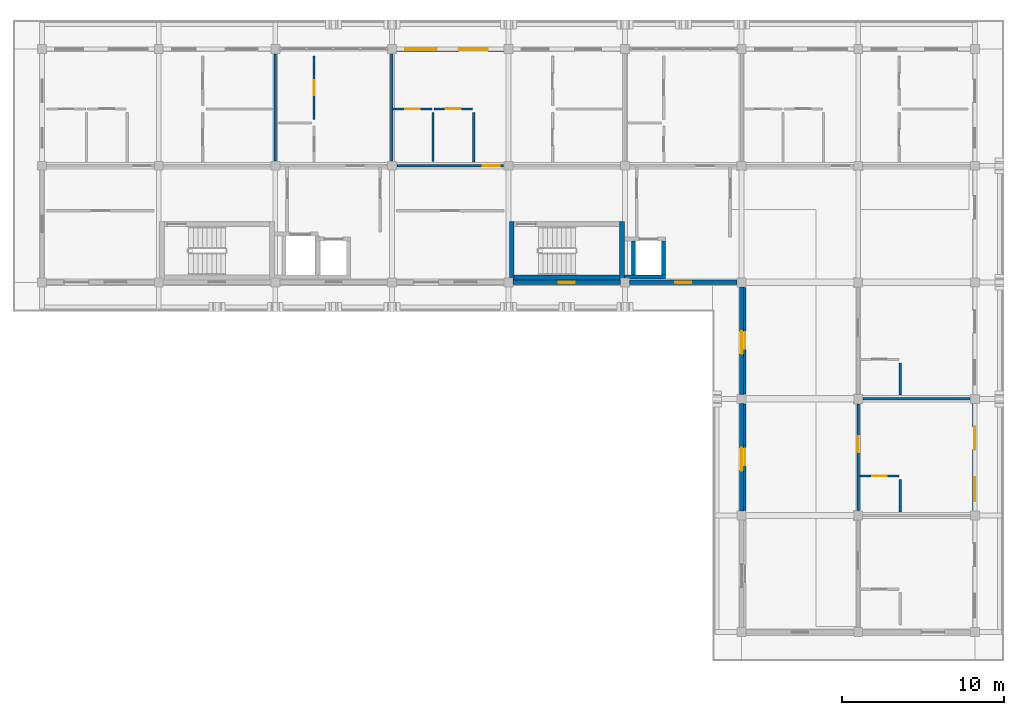
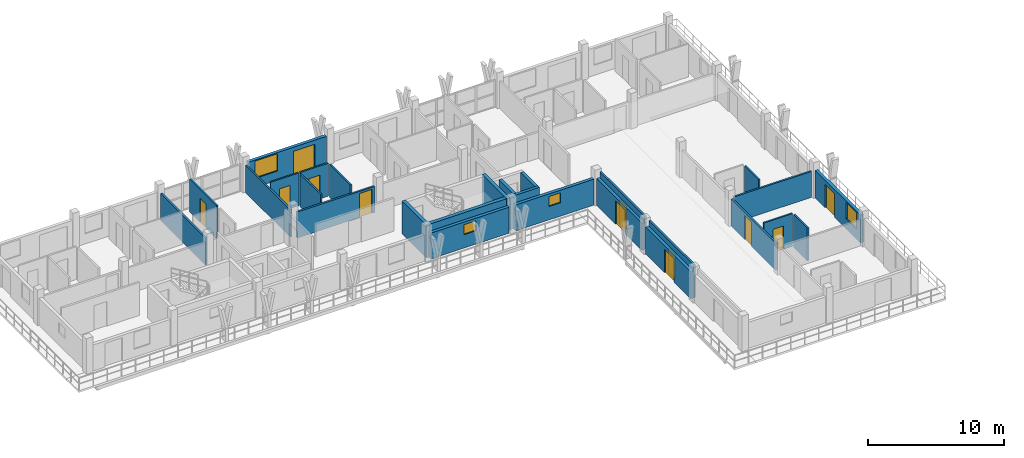
# One storey, part 50 of 65: 27 walls, 12 doors, 4 windows, 16 openings.
"""IFC4 building model written with IfcOpenShell, lengths in metres."""

from ifc_helpers import new_model, si_unit, direction, frame, frame_2d, origin, place, context, subcontext, project, spatial, rectangle, extrude, material, layer, layer_set, type_object, element, fill, save


model = new_model("IFC4")

# Units and contexts
model_context = context("Model", 3, precision=1e-05, world=origin(), true_north=direction((0.0, 1.0)))
body_context = subcontext(model_context, "Body", "Model", "MODEL_VIEW")
ifc_project = project(units=[si_unit("LENGTHUNIT", "METRE"), si_unit("AREAUNIT", "SQUARE_METRE"), si_unit("VOLUMEUNIT", "CUBIC_METRE"), si_unit("PLANEANGLEUNIT", "RADIAN"), si_unit("MASSUNIT", "GRAM", prefix="KILO")], contexts=[model_context])

# Site, building, storey
site_placement = place(None, origin())
site = spatial("IfcSite", under=ifc_project, at=site_placement, CompositionType="ELEMENT")
building_placement = place(site_placement, origin())
building = spatial("IfcBuilding", under=site, at=building_placement, Name="Suanplinth Sawtooth Commons", CompositionType="ELEMENT")
storey_placement = place(building_placement, frame((0.0, 0.0, 28.300048828125)))
storey = spatial("IfcBuildingStorey", under=building, at=storey_placement, Name="L08", CompositionType="ELEMENT", Elevation=28.300048828125)

# Walls
ifc_material_1 = material(Name="Concrete C40/50", Category="concrete")
ifc_layer_1 = layer(ifc_material_1, 0.300048828125, Name="Standard RC stair and lift core wall 300mm")
ifc_layer_set_1 = layer_set([ifc_layer_1], Name="Concrete C40/50")
wall_type_1 = type_object("IfcWallType", Name="W-CR02", PredefinedType="SHEAR", material=ifc_layer_set_1)
wall_1_placement = place(storey_placement, frame((158.75, 108.300048828125, 0.0), z_axis=(0.0, 0.0, 1.0), x_axis=(1.0, 0.0, 0.0)))
element("IfcWall", 1, at=wall_1_placement, inside=storey, type_object=wall_type_1, Name="W-L08-C-B2-STS", PredefinedType="SHEAR", context=body_context, shape_type="SweptSolid", body=[
    extrude(rectangle(XDim=6.5, YDim=0.300048828125, at=frame_2d((3.25, 0.0))), origin(), (0.0, 0.0, 1.0), 2.949951171875),
])
for number, where, z_axis, x_axis, name in (
    (2, (158.60009765625, 108.14990234375, 0.0), (0.0, 0.0, 1.0), (0.0, 1.0, 0.0), "W-L08-C-B2-STW"),
    (3, (165.39990234375, 108.14990234375, 0.0), (0.0, 0.0, 1.0), (0.0, 1.0, 0.0), "W-L08-C-B2-STE"),
):
    element("IfcWall", number, at=place(storey_placement, frame(where, z_axis=z_axis, x_axis=x_axis)), inside=storey, type_object=wall_type_1, Name=name, PredefinedType="SHEAR", context=body_context, shape_type="SweptSolid", body=[
        extrude(rectangle(XDim=3.60009765625, YDim=0.300048828125, at=frame_2d((1.800048828125, 0.0))), origin(), (0.0, 0.0, 1.0), 2.949951171875),
    ])

# Wall, openings, door, window
ifc_material_2 = material(Name="Precast concrete C40/50", Category="concrete")
ifc_layer_2 = layer(ifc_material_2, 0.260009765625, Name="Insulated precast courtyard facade wall 260mm")
ifc_layer_set_2 = layer_set([ifc_layer_2], Name="Precast concrete C40/50")
wall_type_2 = type_object("IfcWallType", Name="W-EX02", PredefinedType="ELEMENTEDWALL", material=ifc_layer_set_2)
wall_2_placement = place(storey_placement, frame((151.47509765625, 122.39990234375, 0.0), z_axis=(0.0, 0.0, 1.0), x_axis=(1.0, 0.0, 0.0)))
wall_2 = element("IfcWall", 4, at=wall_2_placement, inside=storey, type_object=wall_type_2, Name="Facade Wall W-L08-B-N-21-16", PredefinedType="ELEMENTEDWALL", context=body_context, shape_type="SweptSolid", body=[
    extrude(rectangle(XDim=6.64990234375, YDim=0.260009765625, at=frame_2d((3.324951171875, 0.0))), origin(), (0.0, 0.0, 1.0), 2.48486328125),
])
opening_1_placement = place(wall_2_placement, frame((3.85009765625, 0.0, 0.0)))
opening_1 = element("IfcOpeningElement", 5, at=opening_1_placement, cuts=wall_2, Name="Opening ED0647", PredefinedType="OPENING", context=body_context, shape_type="SweptSolid", body=[
    extrude(rectangle(XDim=1.800048828125, YDim=2.1201171875, at=frame_2d((0.89990234375, 1.06005859375))), frame((0.0, 0.14501953125, 0.0), z_axis=(0.0, -1.0, 0.0), x_axis=(1.0, 0.0, 0.0)), (0.0, 0.0, 1.0), 0.289794921875),
])
opening_2_placement = place(wall_2_placement, frame((0.550048828125, 0.0, 0.824951171875)))
opening_2 = element("IfcOpeningElement", 6, at=opening_2_placement, cuts=wall_2, Name="Opening W0729", PredefinedType="OPENING", context=body_context, shape_type="SweptSolid", body=[
    extrude(rectangle(XDim=1.949951171875, YDim=1.550048828125, at=frame_2d((0.97509765625, 0.77490234375))), frame((0.0, 0.14501953125, 0.0), z_axis=(0.0, -1.0, 0.0), x_axis=(1.0, 0.0, 0.0)), (0.0, 0.0, 1.0), 0.289794921875),
])
ifc_material_3 = material(Name="Anodized aluminium and low-E glass", Category="aluminium")
door_type_1 = type_object("IfcDoorType", Name="SD-01", OperationType="SLIDING_TO_LEFT", PredefinedType="DOOR", material=ifc_material_3)
door_1_placement = place(opening_1_placement, frame((1.800048828125, 0.0, 0.0), z_axis=(0.0, 0.0, 1.0), x_axis=(-1.0, 0.0, 0.0)))
door_1 = element("IfcDoor", 7, at=door_1_placement, inside=storey, type_object=door_type_1, Name="Balcony Sliding Door L08-B-21", OperationType="SLIDING_TO_LEFT", OverallHeight=2.1201171875, OverallWidth=1.800048828125, PredefinedType="DOOR", context=body_context, shape_type="SweptSolid", body=[
    extrude(rectangle(XDim=1.800048828125, YDim=2.1201171875, at=frame_2d((0.89990234375, 1.06005859375))), frame((0.0, 0.02490234375, 0.0), z_axis=(0.0, -1.0, 0.0), x_axis=(1.0, 0.0, 0.0)), (0.0, 0.0, 1.0), 0.050048828125),
])
fill(opening_1, door_1)
ifc_material_4 = material(Name="Thermally broken aluminium and low-E double glazing", Category="aluminium")
window_type_1 = type_object("IfcWindowType", Name="WN-18", PartitioningType="DOUBLE_PANEL_VERTICAL", PredefinedType="WINDOW", material=ifc_material_4)
window_1_placement = place(opening_2_placement, origin())
window_1 = element("IfcWindow", 8, at=window_1_placement, inside=storey, type_object=window_type_1, Name="Apartment Window L08-B-21", OverallHeight=1.550048828125, OverallWidth=1.949951171875, PartitioningType="DOUBLE_PANEL_VERTICAL", PredefinedType="WINDOW", context=body_context, shape_type="SweptSolid", body=[
    extrude(rectangle(XDim=1.949951171875, YDim=1.550048828125, at=frame_2d((0.97509765625, 0.77490234375))), frame((0.0, 0.030029296875, 0.0), z_axis=(0.0, -1.0, 0.0), x_axis=(1.0, 0.0, 0.0)), (0.0, 0.0, 1.0), 0.06005859375),
])
fill(opening_2, window_1)

# Wall, opening, window
wall_3_placement = place(storey_placement, frame((158.675048828125, 108.0, 0.0), z_axis=(0.0, 0.0, 1.0), x_axis=(1.0, 0.0, 0.0)))
wall_3 = element("IfcWall", 9, at=wall_3_placement, inside=storey, type_object=wall_type_2, Name="Facade Wall W-L08-B-S-22-15", PredefinedType="ELEMENTEDWALL", context=body_context, shape_type="SweptSolid", body=[
    extrude(rectangle(XDim=6.64990234375, YDim=0.260009765625, at=frame_2d((3.324951171875, 0.0))), origin(), (0.0, 0.0, 1.0), 2.3349609375),
])
opening_3_placement = place(wall_3_placement, frame((2.824951171875, 0.0, 1.199951171875)))
opening_3 = element("IfcOpeningElement", 10, at=opening_3_placement, cuts=wall_3, Name="Opening W0730", PredefinedType="OPENING", context=body_context, shape_type="SweptSolid", body=[
    extrude(rectangle(XDim=1.0, YDim=0.89990234375, at=frame_2d((0.5, 0.449951171875))), frame((0.0, 0.14501953125, 0.0), z_axis=(0.0, -1.0, 0.0), x_axis=(1.0, 0.0, 0.0)), (0.0, 0.0, 1.0), 0.289794921875),
])
window_type_2 = type_object("IfcWindowType", Name="WN-12", PartitioningType="SINGLE_PANEL", PredefinedType="WINDOW", material=ifc_material_4)
window_2_placement = place(opening_3_placement, origin())
window_2 = element("IfcWindow", 11, at=window_2_placement, inside=storey, type_object=window_type_2, Name="Core Daylight Window L08-B-22-15", OverallHeight=0.89990234375, OverallWidth=1.0, PartitioningType="SINGLE_PANEL", PredefinedType="WINDOW", context=body_context, shape_type="SweptSolid", body=[
    extrude(rectangle(XDim=1.0, YDim=0.89990234375, at=frame_2d((0.5, 0.449951171875))), frame((0.0, 0.030029296875, 0.0), z_axis=(0.0, -1.0, 0.0), x_axis=(1.0, 0.0, 0.0)), (0.0, 0.0, 1.0), 0.06005859375),
])
fill(opening_3, window_2)

wall_4_placement = place(storey_placement, frame((165.875, 108.0, 0.0), z_axis=(0.0, 0.0, 1.0), x_axis=(1.0, 0.0, 0.0)))
wall_4 = element("IfcWall", 12, at=wall_4_placement, inside=storey, type_object=wall_type_2, Name="Facade Wall W-L08-B-S-23-15", PredefinedType="ELEMENTEDWALL", context=body_context, shape_type="SweptSolid", body=[
    extrude(rectangle(XDim=6.64990234375, YDim=0.260009765625, at=frame_2d((3.324951171875, 0.0))), origin(), (0.0, 0.0, 1.0), 2.3349609375),
])
opening_4_placement = place(wall_4_placement, frame((2.824951171875, 0.0, 1.199951171875)))
opening_4 = element("IfcOpeningElement", 13, at=opening_4_placement, cuts=wall_4, Name="Opening W0732", PredefinedType="OPENING", context=body_context, shape_type="SweptSolid", body=[
    extrude(rectangle(XDim=1.0, YDim=0.89990234375, at=frame_2d((0.5, 0.449951171875))), frame((0.0, 0.14501953125, 0.0), z_axis=(0.0, -1.0, 0.0), x_axis=(1.0, 0.0, 0.0)), (0.0, 0.0, 1.0), 0.289794921875),
])
window_3_placement = place(opening_4_placement, origin())
window_3 = element("IfcWindow", 14, at=window_3_placement, inside=storey, type_object=window_type_2, Name="Core Daylight Window L08-B-23-15", OverallHeight=0.89990234375, OverallWidth=1.0, PartitioningType="SINGLE_PANEL", PredefinedType="WINDOW", context=body_context, shape_type="SweptSolid", body=[
    extrude(rectangle(XDim=1.0, YDim=0.89990234375, at=frame_2d((0.5, 0.449951171875))), frame((0.0, 0.030029296875, 0.0), z_axis=(0.0, -1.0, 0.0), x_axis=(1.0, 0.0, 0.0)), (0.0, 0.0, 1.0), 0.06005859375),
])
fill(opening_4, window_3)

# Wall, opening, door
wall_5_placement = place(storey_placement, frame((172.800048828125, 93.875, 0.0), z_axis=(0.0, 0.0, 1.0), x_axis=(0.0, 1.0, 0.0)))
wall_5 = element("IfcWall", 15, at=wall_5_placement, inside=storey, type_object=wall_type_2, Name="Facade Wall W-L08-B-W-24-13", PredefinedType="ELEMENTEDWALL", context=body_context, shape_type="SweptSolid", body=[
    extrude(rectangle(XDim=6.64990234375, YDim=0.260009765625, at=frame_2d((3.324951171875, 0.0))), origin(), (0.0, 0.0, 1.0), 2.43505859375),
])
opening_5_placement = place(wall_5_placement, frame((2.5, 0.0, 0.0)))
opening_5 = element("IfcOpeningElement", 16, at=opening_5_placement, cuts=wall_5, Name="Opening ED0650", PredefinedType="OPENING", context=body_context, shape_type="SweptSolid", body=[
    extrude(rectangle(XDim=1.39990234375, YDim=2.10009765625, at=frame_2d((0.699951171875, 1.050048828125))), frame((0.0, 0.14501953125, 0.0), z_axis=(0.0, -1.0, 0.0), x_axis=(1.0, 0.0, 0.0)), (0.0, 0.0, 1.0), 0.289794921875),
])
door_type_2 = type_object("IfcDoorType", Name="SD-07", OperationType="SLIDING_TO_RIGHT", PredefinedType="DOOR", material=ifc_material_3)
door_2_placement = place(opening_5_placement, frame((1.39990234375, 0.0, 0.0), z_axis=(0.0, 0.0, 1.0), x_axis=(-1.0, 0.0, 0.0)))
door_2 = element("IfcDoor", 17, at=door_2_placement, inside=storey, type_object=door_type_2, Name="Courtyard Veranda Studio Balcony Door L08-B-13", OperationType="SLIDING_TO_RIGHT", OverallHeight=2.10009765625, OverallWidth=1.39990234375, PredefinedType="DOOR", context=body_context, shape_type="SweptSolid", body=[
    extrude(rectangle(XDim=1.39990234375, YDim=2.10009765625, at=frame_2d((0.699951171875, 1.050048828125))), frame((0.0, 0.02490234375, 0.0), z_axis=(0.0, -1.0, 0.0), x_axis=(1.0, 0.0, 0.0)), (0.0, 0.0, 1.0), 0.050048828125),
])
fill(opening_5, door_2)

wall_6_placement = place(storey_placement, frame((172.800048828125, 101.074951171875, 0.0), z_axis=(0.0, 0.0, 1.0), x_axis=(0.0, 1.0, 0.0)))
wall_6 = element("IfcWall", 18, at=wall_6_placement, inside=storey, type_object=wall_type_2, Name="Facade Wall W-L08-B-W-24-14", PredefinedType="ELEMENTEDWALL", context=body_context, shape_type="SweptSolid", body=[
    extrude(rectangle(XDim=6.650146484375, YDim=0.260009765625, at=frame_2d((3.3251953125, 0.0))), origin(), (0.0, 0.0, 1.0), 2.43505859375),
])
opening_6_placement = place(wall_6_placement, frame((2.5, 0.0, 0.0)))
opening_6 = element("IfcOpeningElement", 19, at=opening_6_placement, cuts=wall_6, Name="Opening ED0651", PredefinedType="OPENING", context=body_context, shape_type="SweptSolid", body=[
    extrude(rectangle(XDim=1.39990234375, YDim=2.10009765625, at=frame_2d((0.699951171875, 1.050048828125))), frame((0.0, 0.14501953125, 0.0), z_axis=(0.0, -1.0, 0.0), x_axis=(1.0, 0.0, 0.0)), (0.0, 0.0, 1.0), 0.289794921875),
])
door_3_placement = place(opening_6_placement, frame((1.39990234375, 0.0, 0.0), z_axis=(0.0, 0.0, 1.0), x_axis=(-1.0, 0.0, 0.0)))
door_3 = element("IfcDoor", 20, at=door_3_placement, inside=storey, type_object=door_type_2, Name="Courtyard Veranda Studio Balcony Door L08-B-14", OperationType="SLIDING_TO_RIGHT", OverallHeight=2.10009765625, OverallWidth=1.39990234375, PredefinedType="DOOR", context=body_context, shape_type="SweptSolid", body=[
    extrude(rectangle(XDim=1.39990234375, YDim=2.10009765625, at=frame_2d((0.699951171875, 1.050048828125))), frame((0.0, 0.02490234375, 0.0), z_axis=(0.0, -1.0, 0.0), x_axis=(1.0, 0.0, 0.0)), (0.0, 0.0, 1.0), 0.050048828125),
])
fill(opening_6, door_3)

# Wall, openings, door, window
wall_7_placement = place(storey_placement, frame((187.199951171875, 93.875, 0.0), z_axis=(0.0, 0.0, 1.0), x_axis=(0.0, 1.0, 0.0)))
wall_7 = element("IfcWall", 21, at=wall_7_placement, inside=storey, type_object=wall_type_2, Name="Facade Wall W-L08-B-E-25-13", PredefinedType="ELEMENTEDWALL", context=body_context, shape_type="SweptSolid", body=[
    extrude(rectangle(XDim=6.64990234375, YDim=0.260009765625, at=frame_2d((3.324951171875, 0.0))), origin(), (0.0, 0.0, 1.0), 2.48486328125),
])
opening_7_placement = place(wall_7_placement, frame((3.800048828125, 0.0, 0.0)))
opening_7 = element("IfcOpeningElement", 22, at=opening_7_placement, cuts=wall_7, Name="Opening ED0655", PredefinedType="OPENING", context=body_context, shape_type="SweptSolid", body=[
    extrude(rectangle(XDim=1.39990234375, YDim=2.10009765625, at=frame_2d((0.699951171875, 1.050048828125))), frame((0.0, 0.14501953125, 0.0), z_axis=(0.0, -1.0, 0.0), x_axis=(1.0, 0.0, 0.0)), (0.0, 0.0, 1.0), 0.289794921875),
])
opening_8_placement = place(wall_7_placement, frame((0.60009765625, 0.0, 0.875)))
opening_8 = element("IfcOpeningElement", 23, at=opening_8_placement, cuts=wall_7, Name="Opening W0736", PredefinedType="OPENING", context=body_context, shape_type="SweptSolid", body=[
    extrude(rectangle(XDim=1.5, YDim=1.5, at=frame_2d((0.75, 0.75))), frame((0.0, 0.14501953125, 0.0), z_axis=(0.0, -1.0, 0.0), x_axis=(1.0, 0.0, 0.0)), (0.0, 0.0, 1.0), 0.289794921875),
])
door_4_placement = place(opening_7_placement, frame((1.39990234375, 0.0, 0.0), z_axis=(0.0, 0.0, 1.0), x_axis=(-1.0, 0.0, 0.0)))
door_4 = element("IfcDoor", 24, at=door_4_placement, inside=storey, type_object=door_type_2, Name="Wing Balcony Sliding Door L08-B-13", OperationType="SLIDING_TO_RIGHT", OverallHeight=2.10009765625, OverallWidth=1.39990234375, PredefinedType="DOOR", context=body_context, shape_type="SweptSolid", body=[
    extrude(rectangle(XDim=1.39990234375, YDim=2.10009765625, at=frame_2d((0.699951171875, 1.050048828125))), frame((0.0, 0.02490234375, 0.0), z_axis=(0.0, -1.0, 0.0), x_axis=(1.0, 0.0, 0.0)), (0.0, 0.0, 1.0), 0.050048828125),
])
fill(opening_7, door_4)
window_type_3 = type_object("IfcWindowType", Name="WN-02", PartitioningType="DOUBLE_PANEL_VERTICAL", PredefinedType="WINDOW", material=ifc_material_4)
window_4_placement = place(opening_8_placement, origin())
window_4 = element("IfcWindow", 25, at=window_4_placement, inside=storey, type_object=window_type_3, Name="Wing Window L08-B-13", OverallHeight=1.5, OverallWidth=1.5, PartitioningType="DOUBLE_PANEL_VERTICAL", PredefinedType="WINDOW", context=body_context, shape_type="SweptSolid", body=[
    extrude(rectangle(XDim=1.5, YDim=1.5, at=frame_2d((0.75, 0.75))), frame((0.0, 0.030029296875, 0.0), z_axis=(0.0, -1.0, 0.0), x_axis=(1.0, 0.0, 0.0)), (0.0, 0.0, 1.0), 0.06005859375),
])
fill(opening_8, window_4)

# Wall, opening, door
ifc_layer_3 = layer(ifc_material_2, 0.159912109375, Name="Fire-rated corridor and lobby wall 160mm")
ifc_layer_set_3 = layer_set([ifc_layer_3], Name="Precast concrete C40/50")
wall_type_3 = type_object("IfcWallType", Name="W-FW01", PredefinedType="PARTITIONING", material=ifc_layer_set_3)
wall_8_placement = place(storey_placement, frame((151.5048828125, 115.199951171875, 0.0), z_axis=(0.0, 0.0, 1.0), x_axis=(1.0, 0.0, 0.0)))
wall_8 = element("IfcWall", 26, at=wall_8_placement, inside=storey, type_object=wall_type_3, Name="W-B-L08-U03-COR-S1", PredefinedType="PARTITIONING", context=body_context, shape_type="SweptSolid", body=[
    extrude(rectangle(XDim=6.590087890625, YDim=0.159912109375, at=frame_2d((3.294921875, 0.0))), origin(), (0.0, 0.0, 1.0), 2.3349609375),
])
opening_9_placement = place(wall_8_placement, frame((5.300048828125, 0.0, 0.0)))
opening_9 = element("IfcOpeningElement", 27, at=opening_9_placement, cuts=wall_8, Name="Opening FD1677", PredefinedType="OPENING", context=body_context, shape_type="SweptSolid", body=[
    extrude(rectangle(XDim=1.050048828125, YDim=2.14990234375, at=frame_2d((0.52490234375, 1.074951171875))), frame((0.0, 0.0947265625, 0.0), z_axis=(0.0, -1.0, 0.0), x_axis=(1.0, 0.0, 0.0)), (0.0, 0.0, 1.0), 0.189697265625),
])
ifc_material_5 = material(Name="Teak hardwood fire-rated door assembly", Category="wood")
door_type_3 = type_object("IfcDoorType", Name="FD-04", OperationType="NOTDEFINED", PredefinedType="DOOR", material=ifc_material_5)
door_5_placement = place(opening_9_placement, origin())
door_5 = element("IfcDoor", 28, at=door_5_placement, inside=storey, type_object=door_type_3, Name="Unit Entrance Door FD1677", OperationType="SINGLE_SWING_LEFT", OverallHeight=2.14990234375, OverallWidth=1.050048828125, PredefinedType="DOOR", context=body_context, shape_type="SweptSolid", body=[
    extrude(rectangle(XDim=1.050048828125, YDim=2.14990234375, at=frame_2d((0.52490234375, 1.074951171875))), frame((0.0, 0.02490234375, 0.0), z_axis=(0.0, -1.0, 0.0), x_axis=(1.0, 0.0, 0.0)), (0.0, 0.0, 1.0), 0.050048828125),
])
fill(opening_9, door_5)

wall_9_placement = place(storey_placement, frame((180.0, 93.905029296875, 0.0), z_axis=(0.0, 0.0, 1.0), x_axis=(0.0, 1.0, 0.0)))
wall_9 = element("IfcWall", 29, at=wall_9_placement, inside=storey, type_object=wall_type_3, Name="W-B-L08-L02-COR", PredefinedType="PARTITIONING", context=body_context, shape_type="SweptSolid", body=[
    extrude(rectangle(XDim=6.590087890625, YDim=0.159912109375, at=frame_2d((3.294921875, 0.0))), origin(), (0.0, 0.0, 1.0), 2.43505859375),
])
opening_10_placement = place(wall_9_placement, frame((3.594970703125, 0.0, 0.0)))
opening_10 = element("IfcOpeningElement", 30, at=opening_10_placement, cuts=wall_9, Name="Opening FD1695", PredefinedType="OPENING", context=body_context, shape_type="SweptSolid", body=[
    extrude(rectangle(XDim=1.0, YDim=2.14990234375, at=frame_2d((0.5, 1.074951171875))), frame((0.0, 0.0947265625, 0.0), z_axis=(0.0, -1.0, 0.0), x_axis=(1.0, 0.0, 0.0)), (0.0, 0.0, 1.0), 0.189697265625),
])
door_type_4 = type_object("IfcDoorType", Name="FD-03", OperationType="NOTDEFINED", PredefinedType="DOOR", material=ifc_material_5)
door_6_placement = place(opening_10_placement, frame((1.0, 0.0, 0.0), z_axis=(0.0, 0.0, 1.0), x_axis=(-1.0, 0.0, 0.0)))
door_6 = element("IfcDoor", 31, at=door_6_placement, inside=storey, type_object=door_type_4, Name="Wing Unit Entrance Door FD1695", OperationType="SINGLE_SWING_LEFT", OverallHeight=2.14990234375, OverallWidth=1.0, PredefinedType="DOOR", context=body_context, shape_type="SweptSolid", body=[
    extrude(rectangle(XDim=1.0, YDim=2.14990234375, at=frame_2d((0.5, 1.074951171875))), frame((0.0, 0.02490234375, 0.0), z_axis=(0.0, -1.0, 0.0), x_axis=(1.0, 0.0, 0.0)), (0.0, 0.0, 1.0), 0.050048828125),
])
fill(opening_10, door_6)

wall_10_placement = place(storey_placement, frame((173.0, 93.905029296875, 0.0), z_axis=(0.0, 0.0, 1.0), x_axis=(0.0, 1.0, 0.0)))
wall_10 = element("IfcWall", 32, at=wall_10_placement, inside=storey, type_object=wall_type_3, Name="W-B-L08-LEGCOURTROOM-27-COR", PredefinedType="PARTITIONING", context=body_context, shape_type="SweptSolid", body=[
    extrude(rectangle(XDim=6.590087890625, YDim=0.159912109375, at=frame_2d((3.294921875, 0.0))), origin(), (0.0, 0.0, 1.0), 2.949951171875),
])
opening_11_placement = place(wall_10_placement, frame((2.784912109375, 0.0, 0.0)))
opening_11 = element("IfcOpeningElement", 33, at=opening_11_placement, cuts=wall_10, Name="Opening D1697", PredefinedType="OPENING", context=body_context, shape_type="SweptSolid", body=[
    extrude(rectangle(XDim=1.02001953125, YDim=2.179931640625, at=frame_2d((0.510009765625, 1.08984375))), frame((0.0, 0.0947265625, 0.0), z_axis=(0.0, -1.0, 0.0), x_axis=(1.0, 0.0, 0.0)), (0.0, 0.0, 1.0), 0.189697265625),
])
ifc_material_6 = material(Name="Teak hardwood", Category="wood")
door_type_5 = type_object("IfcDoorType", Name="D-16", OperationType="NOTDEFINED", PredefinedType="DOOR", material=ifc_material_6)
door_7_placement = place(opening_11_placement, origin())
door_7 = element("IfcDoor", 34, at=door_7_placement, inside=storey, type_object=door_type_5, Name="Veranda Studio Door D1697", OperationType="SINGLE_SWING_LEFT", OverallHeight=2.179931640625, OverallWidth=1.02001953125, PredefinedType="DOOR", context=body_context, shape_type="SweptSolid", body=[
    extrude(rectangle(XDim=1.02001953125, YDim=2.179931640625, at=frame_2d((0.510009765625, 1.08984375))), frame((0.0, 0.02490234375, 0.0), z_axis=(0.0, -1.0, 0.0), x_axis=(1.0, 0.0, 0.0)), (0.0, 0.0, 1.0), 0.050048828125),
])
fill(opening_11, door_7)

wall_11_placement = place(storey_placement, frame((173.0, 101.10498046875, 0.0), z_axis=(0.0, 0.0, 1.0), x_axis=(0.0, 1.0, 0.0)))
wall_11 = element("IfcWall", 35, at=wall_11_placement, inside=storey, type_object=wall_type_3, Name="W-B-L08-LEGCOURTROOM-29-COR", PredefinedType="PARTITIONING", context=body_context, shape_type="SweptSolid", body=[
    extrude(rectangle(XDim=6.590087890625, YDim=0.159912109375, at=frame_2d((3.294921875, 0.0))), origin(), (0.0, 0.0, 1.0), 2.949951171875),
])
opening_12_placement = place(wall_11_placement, frame((2.784912109375, 0.0, 0.0)))
opening_12 = element("IfcOpeningElement", 36, at=opening_12_placement, cuts=wall_11, Name="Opening D1700", PredefinedType="OPENING", context=body_context, shape_type="SweptSolid", body=[
    extrude(rectangle(XDim=1.02001953125, YDim=2.179931640625, at=frame_2d((0.510009765625, 1.08984375))), frame((0.0, 0.0947265625, 0.0), z_axis=(0.0, -1.0, 0.0), x_axis=(1.0, 0.0, 0.0)), (0.0, 0.0, 1.0), 0.189697265625),
])
door_8_placement = place(opening_12_placement, origin())
door_8 = element("IfcDoor", 37, at=door_8_placement, inside=storey, type_object=door_type_5, Name="Veranda Studio Door D1700", OperationType="SINGLE_SWING_RIGHT", OverallHeight=2.179931640625, OverallWidth=1.02001953125, PredefinedType="DOOR", context=body_context, shape_type="SweptSolid", body=[
    extrude(rectangle(XDim=1.02001953125, YDim=2.179931640625, at=frame_2d((0.510009765625, 1.08984375))), frame((0.0, 0.02490234375, 0.0), z_axis=(0.0, -1.0, 0.0), x_axis=(1.0, 0.0, 0.0)), (0.0, 0.0, 1.0), 0.050048828125),
])
fill(opening_12, door_8)

# Walls
ifc_layer_4 = layer(ifc_material_2, 0.14990234375, Name="Acoustic precast party demising wall 150mm")
ifc_layer_set_4 = layer_set([ifc_layer_4], Name="Precast concrete C40/50")
wall_type_4 = type_object("IfcWallType", Name="W-FW02", PredefinedType="PARTITIONING", material=ifc_layer_set_4)
for number, where, z_axis, x_axis, name in (
    (38, (144.0, 115.5048828125, 0.0), (0.0, 0.0, 1.0), (0.0, 1.0, 0.0), "W-B-L08-U01-PTY"),
    (39, (151.199951171875, 115.5048828125, 0.0), (0.0, 0.0, 1.0), (0.0, 1.0, 0.0), "W-B-L08-U02-PTY"),
):
    element("IfcWall", number, at=place(storey_placement, frame(where, z_axis=z_axis, x_axis=x_axis)), inside=storey, type_object=wall_type_4, Name=name, PredefinedType="PARTITIONING", context=body_context, shape_type="SweptSolid", body=[
        extrude(rectangle(XDim=6.590087890625, YDim=0.14990234375, at=frame_2d((3.294921875, 0.0))), origin(), (0.0, 0.0, 1.0), 2.43505859375),
    ])
wall_12_placement = place(storey_placement, frame((180.304931640625, 100.800048828125, 0.0), z_axis=(0.0, 0.0, 1.0), x_axis=(1.0, 0.0, 0.0)))
element("IfcWall", 40, at=wall_12_placement, inside=storey, type_object=wall_type_4, Name="W-B-L08-L02-PTY", PredefinedType="PARTITIONING", context=body_context, shape_type="SweptSolid", body=[
    extrude(rectangle(XDim=6.590087890625, YDim=0.14990234375, at=frame_2d((3.294921875, 0.0))), origin(), (0.0, 0.0, 1.0), 2.3349609375),
])

# Wall, opening, door
ifc_material_7 = material(Name="Gypsum plasterboard on steel stud", Category="steel")
ifc_layer_5 = layer(ifc_material_7, 0.139892578125, Name="Fire-rated kitchen partition 140mm")
ifc_layer_set_5 = layer_set([ifc_layer_5], Name="Gypsum plasterboard on steel stud")
wall_type_5 = type_object("IfcWallType", Name="W-PT01", PredefinedType="PARTITIONING", material=ifc_layer_set_5)
wall_13_placement = place(storey_placement, frame((146.39501953125, 118.0400390625, 0.0), z_axis=(0.0, 0.0, 1.0), x_axis=(0.0, 1.0, 0.0)))
wall_13 = element("IfcWall", 41, at=wall_13_placement, inside=storey, type_object=wall_type_5, Name="W-B-L08-U02-KITE", PredefinedType="PARTITIONING", context=body_context, shape_type="SweptSolid", body=[
    extrude(rectangle(XDim=3.93994140625, YDim=0.139892578125, at=frame_2d((1.969970703125, 0.0))), origin(), (0.0, 0.0, 1.0), 2.949951171875),
])
opening_13_placement = place(wall_13_placement, frame((1.5048828125, 0.0, 0.0)))
opening_13 = element("IfcOpeningElement", 42, at=opening_13_placement, cuts=wall_13, Name="Opening D1676", PredefinedType="OPENING", context=body_context, shape_type="SweptSolid", body=[
    extrude(rectangle(XDim=0.929931640625, YDim=2.139892578125, at=frame_2d((0.46484375, 1.06982421875))), frame((0.0, 0.0849609375, 0.0), z_axis=(0.0, -1.0, 0.0), x_axis=(1.0, 0.0, 0.0)), (0.0, 0.0, 1.0), 0.169677734375),
])
door_type_6 = type_object("IfcDoorType", Name="D-19", OperationType="NOTDEFINED", PredefinedType="DOOR", material=ifc_material_6)
door_9_placement = place(opening_13_placement, origin())
door_9 = element("IfcDoor", 43, at=door_9_placement, inside=storey, type_object=door_type_6, Name="Kitchen Door D1676", OperationType="SINGLE_SWING_RIGHT", OverallHeight=2.139892578125, OverallWidth=0.929931640625, PredefinedType="DOOR", context=body_context, shape_type="SweptSolid", body=[
    extrude(rectangle(XDim=0.929931640625, YDim=2.139892578125, at=frame_2d((0.46484375, 1.06982421875))), frame((0.0, 0.02490234375, 0.0), z_axis=(0.0, -1.0, 0.0), x_axis=(1.0, 0.0, 0.0)), (0.0, 0.0, 1.0), 0.050048828125),
])
fill(opening_13, door_9)

wall_14_placement = place(storey_placement, frame((153.800048828125, 118.7099609375, 0.0), z_axis=(0.0, 0.0, 1.0), x_axis=(1.0, 0.0, 0.0)))
wall_14 = element("IfcWall", 44, at=wall_14_placement, inside=storey, type_object=wall_type_5, Name="W-B-L08-U03-KIT1", PredefinedType="PARTITIONING", context=body_context, shape_type="SweptSolid", body=[
    extrude(rectangle(XDim=2.3798828125, YDim=0.139892578125, at=frame_2d((1.18994140625, 0.0))), origin(), (0.0, 0.0, 1.0), 2.949951171875),
])
opening_14_placement = place(wall_14_placement, frame((0.72509765625, 0.0, 0.0)))
opening_14 = element("IfcOpeningElement", 45, at=opening_14_placement, cuts=wall_14, Name="Opening D1679", PredefinedType="OPENING", context=body_context, shape_type="SweptSolid", body=[
    extrude(rectangle(XDim=0.929931640625, YDim=2.139892578125, at=frame_2d((0.46484375, 1.06982421875))), frame((0.0, 0.0849609375, 0.0), z_axis=(0.0, -1.0, 0.0), x_axis=(1.0, 0.0, 0.0)), (0.0, 0.0, 1.0), 0.169677734375),
])
door_10_placement = place(opening_14_placement, frame((0.929931640625, 0.0, 0.0), z_axis=(0.0, 0.0, 1.0), x_axis=(-1.0, 0.0, 0.0)))
door_10 = element("IfcDoor", 46, at=door_10_placement, inside=storey, type_object=door_type_6, Name="Kitchen Door D1679", OperationType="SINGLE_SWING_LEFT", OverallHeight=2.139892578125, OverallWidth=0.929931640625, PredefinedType="DOOR", context=body_context, shape_type="SweptSolid", body=[
    extrude(rectangle(XDim=0.929931640625, YDim=2.139892578125, at=frame_2d((0.46484375, 1.06982421875))), frame((0.0, 0.02490234375, 0.0), z_axis=(0.0, -1.0, 0.0), x_axis=(1.0, 0.0, 0.0)), (0.0, 0.0, 1.0), 0.050048828125),
])
fill(opening_14, door_10)

# Wall
wall_15_placement = place(storey_placement, frame((156.25, 115.429931640625, 0.0), z_axis=(0.0, 0.0, 1.0), x_axis=(0.0, 1.0, 0.0)))
element("IfcWall", 47, at=wall_15_placement, inside=storey, type_object=wall_type_5, Name="W-B-L08-U03-KIT2", PredefinedType="PARTITIONING", context=body_context, shape_type="SweptSolid", body=[
    extrude(rectangle(XDim=3.06005859375, YDim=0.139892578125, at=frame_2d((1.530029296875, 0.0))), origin(), (0.0, 0.0, 1.0), 2.949951171875),
])

# Wall, opening, door
ifc_layer_6 = layer(ifc_material_7, 0.1298828125, Name="Moisture-resistant bathroom partition 130mm")
ifc_layer_set_6 = layer_set([ifc_layer_6], Name="Gypsum plasterboard on steel stud")
wall_type_6 = type_object("IfcWallType", Name="W-PT02", PredefinedType="PARTITIONING", material=ifc_layer_set_6)
wall_16_placement = place(storey_placement, frame((151.280029296875, 118.705078125, 0.0), z_axis=(0.0, 0.0, 1.0), x_axis=(1.0, 0.0, 0.0)))
wall_16 = element("IfcWall", 48, at=wall_16_placement, inside=storey, type_object=wall_type_6, Name="W-B-L08-U03-BTH1", PredefinedType="PARTITIONING", context=body_context, shape_type="SweptSolid", body=[
    extrude(rectangle(XDim=2.39990234375, YDim=0.1298828125, at=frame_2d((1.199951171875, 0.0))), origin(), (0.0, 0.0, 1.0), 2.949951171875),
])
opening_15_placement = place(wall_16_placement, frame((0.75, 0.0, 0.0)))
opening_15 = element("IfcOpeningElement", 49, at=opening_15_placement, cuts=wall_16, Name="Opening D1678", PredefinedType="OPENING", context=body_context, shape_type="SweptSolid", body=[
    extrude(rectangle(XDim=0.89990234375, YDim=2.10009765625, at=frame_2d((0.449951171875, 1.050048828125))), frame((0.0, 0.079833984375, 0.0), z_axis=(0.0, -1.0, 0.0), x_axis=(1.0, 0.0, 0.0)), (0.0, 0.0, 1.0), 0.15966796875),
])
door_type_7 = type_object("IfcDoorType", Name="D-01", OperationType="NOTDEFINED", PredefinedType="DOOR", material=ifc_material_6)
door_11_placement = place(opening_15_placement, frame((0.89990234375, 0.0, 0.0), z_axis=(0.0, 0.0, 1.0), x_axis=(-1.0, 0.0, 0.0)))
door_11 = element("IfcDoor", 50, at=door_11_placement, inside=storey, type_object=door_type_7, Name="Bathroom Door D1678", OperationType="SINGLE_SWING_RIGHT", OverallHeight=2.10009765625, OverallWidth=0.89990234375, PredefinedType="DOOR", context=body_context, shape_type="SweptSolid", body=[
    extrude(rectangle(XDim=0.89990234375, YDim=2.10009765625, at=frame_2d((0.449951171875, 1.050048828125))), frame((0.0, 0.02490234375, 0.0), z_axis=(0.0, -1.0, 0.0), x_axis=(1.0, 0.0, 0.0)), (0.0, 0.0, 1.0), 0.050048828125),
])
fill(opening_15, door_11)

# Wall
wall_17_placement = place(storey_placement, frame((153.7451171875, 115.4599609375, 0.0), z_axis=(0.0, 0.0, 1.0), x_axis=(0.0, 1.0, 0.0)))
element("IfcWall", 51, at=wall_17_placement, inside=storey, type_object=wall_type_6, Name="W-B-L08-U03-BTH2", PredefinedType="PARTITIONING", context=body_context, shape_type="SweptSolid", body=[
    extrude(rectangle(XDim=3.0400390625, YDim=0.1298828125, at=frame_2d((1.52001953125, 0.0))), origin(), (0.0, 0.0, 1.0), 2.949951171875),
])

# Wall, opening, door
wall_18_placement = place(storey_placement, frame((180.080078125, 96.044921875, 0.0), z_axis=(0.0, 0.0, 1.0), x_axis=(1.0, 0.0, 0.0)))
wall_18 = element("IfcWall", 52, at=wall_18_placement, inside=storey, type_object=wall_type_6, Name="W-B-L08-L02-BTH1", PredefinedType="PARTITIONING", context=body_context, shape_type="SweptSolid", body=[
    extrude(rectangle(XDim=2.449951171875, YDim=0.1298828125, at=frame_2d((1.22509765625, 0.0))), origin(), (0.0, 0.0, 1.0), 2.949951171875),
])
opening_16_placement = place(wall_18_placement, frame((0.77490234375, 0.0, 0.0)))
opening_16 = element("IfcOpeningElement", 53, at=opening_16_placement, cuts=wall_18, Name="Opening D1696", PredefinedType="OPENING", context=body_context, shape_type="SweptSolid", body=[
    extrude(rectangle(XDim=0.89990234375, YDim=2.10009765625, at=frame_2d((0.449951171875, 1.050048828125))), frame((0.0, 0.079833984375, 0.0), z_axis=(0.0, -1.0, 0.0), x_axis=(1.0, 0.0, 0.0)), (0.0, 0.0, 1.0), 0.15966796875),
])
door_12_placement = place(opening_16_placement, frame((0.89990234375, 0.0, 0.0), z_axis=(0.0, 0.0, 1.0), x_axis=(-1.0, 0.0, 0.0)))
door_12 = element("IfcDoor", 54, at=door_12_placement, inside=storey, type_object=door_type_7, Name="Bathroom Door D1696", OperationType="SINGLE_SWING_RIGHT", OverallHeight=2.10009765625, OverallWidth=0.89990234375, PredefinedType="DOOR", context=body_context, shape_type="SweptSolid", body=[
    extrude(rectangle(XDim=0.89990234375, YDim=2.10009765625, at=frame_2d((0.449951171875, 1.050048828125))), frame((0.0, 0.02490234375, 0.0), z_axis=(0.0, -1.0, 0.0), x_axis=(1.0, 0.0, 0.0)), (0.0, 0.0, 1.0), 0.050048828125),
])
fill(opening_16, door_12)

# Walls
for number, where, z_axis, x_axis, name in (
    (55, (182.594970703125, 93.830078125, 0.0), (0.0, 0.0, 1.0), (0.0, 1.0, 0.0), "W-B-L08-L02-BTH2"),
    (56, (182.594970703125, 101.030029296875, 0.0), (0.0, 0.0, 1.0), (0.0, 1.0, 0.0), "W-B-L08-L03-BTH2"),
):
    element("IfcWall", number, at=place(storey_placement, frame(where, z_axis=z_axis, x_axis=x_axis)), inside=storey, type_object=wall_type_6, Name=name, PredefinedType="PARTITIONING", context=body_context, shape_type="SweptSolid", body=[
        extrude(rectangle(XDim=2.0, YDim=0.1298828125, at=frame_2d((1.0, 0.0))), origin(), (0.0, 0.0, 1.0), 2.949951171875),
    ])
ifc_layer_7 = layer(ifc_material_2, 0.25, Name="Precast structural shear wall 250mm")
ifc_layer_set_7 = layer_set([ifc_layer_7], Name="Precast concrete C40/50")
wall_type_7 = type_object("IfcWallType", Name="W-SH01", PredefinedType="SHEAR", material=ifc_layer_set_7)
wall_19_placement = place(storey_placement, frame((165.550048828125, 108.324951171875, 0.0), z_axis=(0.0, 0.0, 1.0), x_axis=(1.0, 0.0, 0.0)))
element("IfcWall", 57, at=wall_19_placement, inside=storey, type_object=wall_type_7, Name="W-L08-LF4-S", PredefinedType="SHEAR", context=body_context, shape_type="SweptSolid", body=[
    extrude(rectangle(XDim=2.550048828125, YDim=0.25, at=frame_2d((1.27490234375, 0.0))), origin(), (0.0, 0.0, 1.0), 2.949951171875),
])
for number, where, z_axis, x_axis, name in (
    (58, (166.125, 108.449951171875, 0.0), (0.0, 0.0, 1.0), (0.0, 1.0, 0.0), "W-L08-LF4-W"),
    (59, (167.97509765625, 108.449951171875, 0.0), (0.0, 0.0, 1.0), (0.0, 1.0, 0.0), "W-L08-LF4-E"),
):
    element("IfcWall", number, at=place(storey_placement, frame(where, z_axis=z_axis, x_axis=x_axis)), inside=storey, type_object=wall_type_7, Name=name, PredefinedType="SHEAR", context=body_context, shape_type="SweptSolid", body=[
        extrude(rectangle(XDim=2.10009765625, YDim=0.25, at=frame_2d((1.050048828125, 0.0))), origin(), (0.0, 0.0, 1.0), 2.949951171875),
    ])

save(model, "model.ifc")
